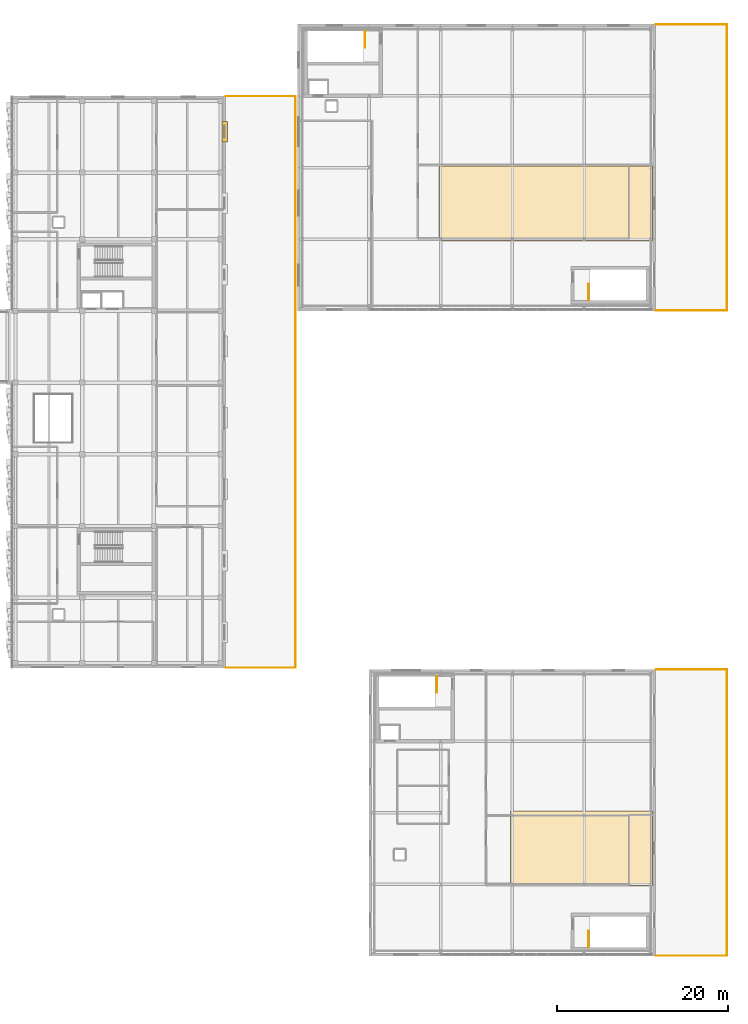
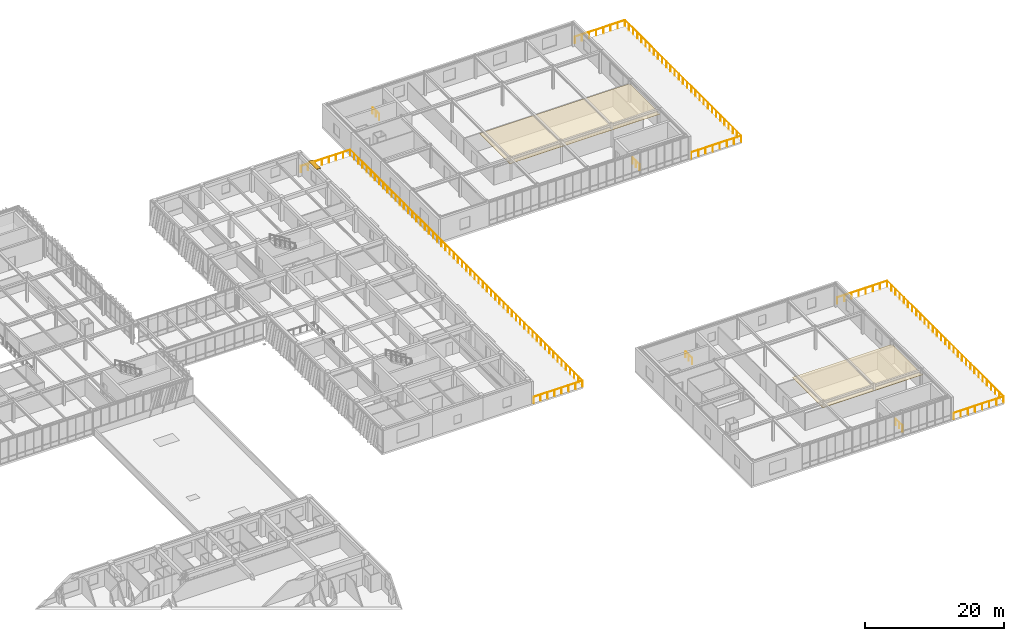
# One storey, part 127 of 127: 13 railings, 2 coverings, 1 shading device.
"""IFC4 building model written with IfcOpenShell, lengths in metres."""

import ifcopenshell
import ifcopenshell.guid

model = None  # the IFC model being written
_history = None  # IfcOwnerHistory: only IFC2X3 demands one
_inside = {}  # id of a spatial element -> (the spatial element, [elements in it])
_under = {}  # id of a project, library or spatial element -> (it, [spatial elements below it])
_declared = {}  # id of a project -> (the project, [libraries it declares])
_typed = {}  # id of a type object -> (the type object, [elements of that type])
_made_of = {}  # id of a material, layer set ... -> (it, [elements and type objects made of it])


def new_model(schema):
    """Start an empty IFC model of exactly this schema.

    Asked for "IFC4X3", IfcOpenShell would pick the latest addendum, in which some entities
    have other attributes; the version numbers below select the first issue.
    IFC2X3 requires an IfcOwnerHistory on every rooted entity: one is made here for all.
    """
    global model, _history
    if schema == "IFC4X3":
        model = ifcopenshell.file(schema_version=(4, 3, 0, 0))
    else:
        model = ifcopenshell.file(schema=schema)
    _inside.clear()
    _under.clear()
    _declared.clear()
    _typed.clear()
    _made_of.clear()
    _history = None
    if model.schema == "IFC2X3":
        org = make("IfcOrganization", Name="unknown")
        user = make(
            "IfcPersonAndOrganization",
            ThePerson=make("IfcPerson", FamilyName="unknown"),
            TheOrganization=org,
        )
        app = make(
            "IfcApplication",
            ApplicationDeveloper=org,
            Version="unknown",
            ApplicationFullName="unknown",
            ApplicationIdentifier="unknown",
        )
        _history = make(
            "IfcOwnerHistory",
            OwningUser=user,
            OwningApplication=app,
            ChangeAction="ADDED",
            CreationDate=0,
        )
    return model


def make(cls, **values):
    """One entity of the class cls with the attributes given. An attribute that is None is left unset."""
    return model.create_entity(
        cls, **{name: value for name, value in values.items() if value is not None}
    )


def rooted(cls, **values):
    """An entity with a GlobalId (a new one), such as an element, a storey or a relation."""
    return make(cls, GlobalId=ifcopenshell.guid.new(), OwnerHistory=_history, **values)


def si_unit(unit_type, name, prefix=None):
    """IfcSIUnit, for example si_unit("LENGTHUNIT", "METRE", prefix="MILLI")."""
    return make("IfcSIUnit", UnitType=unit_type, Prefix=prefix, Name=name)


def assignment(units):
    """IfcUnitAssignment: the units of a project."""
    return None if units is None else make("IfcUnitAssignment", Units=units)


def point(xyz):
    """IfcCartesianPoint."""
    return None if xyz is None else make("IfcCartesianPoint", Coordinates=xyz)


def direction(xyz):
    """IfcDirection."""
    return None if xyz is None else make("IfcDirection", DirectionRatios=xyz)


def frame(location, z_axis=None, x_axis=None):
    """IfcAxis2Placement3D, a coordinate frame: its origin and axes. An axis left out is left unset."""
    return make(
        "IfcAxis2Placement3D",
        Location=point(location),
        Axis=direction(z_axis),
        RefDirection=direction(x_axis),
    )


def frame_2d(location, x_axis=None):
    """IfcAxis2Placement2D, a coordinate frame in the plane: its origin and x axis."""
    return make(
        "IfcAxis2Placement2D", Location=point(location), RefDirection=direction(x_axis)
    )


def origin():
    """The frame at (0, 0, 0) with its axes left unset."""
    return frame((0.0, 0.0, 0.0))


def origin_2d():
    """The frame at (0, 0) in the plane with its x axis left unset."""
    return frame_2d((0.0, 0.0))


def place(relative_to, where):
    """IfcLocalPlacement: puts the frame where relative to a parent placement (None: the world)."""
    return make(
        "IfcLocalPlacement", PlacementRelTo=relative_to, RelativePlacement=where
    )


def context(
    kind, dimensions, precision=None, world=None, true_north=None, identifier=None
):
    """IfcGeometricRepresentationContext, for example the 3D "Model" context."""
    return make(
        "IfcGeometricRepresentationContext",
        ContextIdentifier=identifier,
        ContextType=kind,
        CoordinateSpaceDimension=dimensions,
        Precision=precision,
        WorldCoordinateSystem=world,
        TrueNorth=true_north,
    )


def subcontext(parent, identifier, kind, view, scale=None):
    """IfcGeometricRepresentationSubContext, for example "Body" below "Model"."""
    return make(
        "IfcGeometricRepresentationSubContext",
        ContextIdentifier=identifier,
        ContextType=kind,
        ParentContext=parent,
        TargetScale=scale,
        TargetView=view,
    )


def project(units=None, contexts=None):
    """IfcProject with its units and contexts."""
    return rooted(
        "IfcProject",
        Name="project",
        RepresentationContexts=contexts,
        UnitsInContext=assignment(units),
    )


def spatial(cls, under=None, at=None, **own):
    """A site, building, storey or space (cls), placed at a placement, below another one or the project."""
    s = rooted(cls, ObjectPlacement=at, **own)
    if under is not None:
        _under.setdefault(under.id(), (under, []))[1].append(s)
    return s


def polyline(points):
    """IfcPolyline through the points."""
    return make("IfcPolyline", Points=[point(p) for p in points])


def profile(cls, at=None, kind="AREA", **sizes):
    """A parametric profile (cls). Its sizes go by their IFC names, for example OverallWidth=200.0."""
    return make(cls, ProfileType=kind, Position=at, **sizes)


def rectangle(**sizes):
    """IfcRectangleProfileDef."""
    return profile("IfcRectangleProfileDef", **sizes)


def circle(**sizes):
    """IfcCircleProfileDef."""
    return profile("IfcCircleProfileDef", **sizes)


def outline(outer, holes=None, kind="AREA"):
    """IfcArbitraryClosedProfileDef: a profile drawn as a closed curve; with holes, ...WithVoids."""
    if holes is None:
        return make("IfcArbitraryClosedProfileDef", ProfileType=kind, OuterCurve=outer)
    return make(
        "IfcArbitraryProfileDefWithVoids",
        ProfileType=kind,
        OuterCurve=outer,
        InnerCurves=holes,
    )


def extrude(swept, where, along, depth):
    """IfcExtrudedAreaSolid: the profile swept, set in the frame where, extruded along a direction by depth."""
    return make(
        "IfcExtrudedAreaSolid",
        SweptArea=swept,
        Position=where,
        ExtrudedDirection=direction(along),
        Depth=depth,
    )


def shape(context_of_items, identifier, shape_type, items):
    """IfcShapeRepresentation: the items that make up one representation, for example the "Body"."""
    return make(
        "IfcShapeRepresentation",
        ContextOfItems=context_of_items,
        RepresentationIdentifier=identifier,
        RepresentationType=shape_type,
        Items=items,
    )


def material(Name=None, Category=None):
    """IfcMaterial."""
    return make("IfcMaterial", Name=Name, Category=Category)


def layer(
    of_material, thickness, ventilated=None, Name=None, Category=None, Priority=None
):
    """IfcMaterialLayer: one layer of a wall or slab, of a material (None: an air gap)."""
    return make(
        "IfcMaterialLayer",
        Material=of_material,
        LayerThickness=thickness,
        IsVentilated=ventilated,
        Name=Name,
        Category=Category,
        Priority=Priority,
    )


def layer_set(layers, Name=None):
    """IfcMaterialLayerSet."""
    return make("IfcMaterialLayerSet", MaterialLayers=layers, LayerSetName=Name)


def made_of(thing, what):
    """Note that an element or type object is made of a material, layer set ...; save() writes the relation."""
    if what is not None:
        _made_of.setdefault(what.id(), (what, []))[1].append(thing)
    return thing


def type_object(cls, material=None, **own):
    """A type object (cls), such as IfcWallType, which elements share."""
    return made_of(rooted(cls, **own), material)


def element(
    cls,
    number,
    at=None,
    inside=None,
    cuts=None,
    type_object=None,
    material=None,
    context=None,
    identifier="Body",
    shape_type=None,
    held_by="IfcProductDefinitionShape",
    body=None,
    shapes=None,
    **own,
):
    """One element of the class cls, such as IfcWall. Its Tag is "e" and its number.

    at: its placement. inside: the storey or other place that contains it. cuts: it is an
    opening in that element (IfcRelVoidsElement). A single representation is given by context,
    identifier, shape_type and body (its items); several are given by shapes. held_by: the class
    of the entity that holds the representations. save() writes the other relations.
    """
    e = rooted(cls, Tag="e%d" % number, ObjectPlacement=at, **own)
    if body is not None:
        shapes = [shape(context, identifier, shape_type, body)]
    if shapes is not None:
        e.Representation = make(held_by, Representations=shapes)
    if inside is not None:
        _inside.setdefault(inside.id(), (inside, []))[1].append(e)
    if cuts is not None:
        rooted(
            "IfcRelVoidsElement", RelatingBuildingElement=cuts, RelatedOpeningElement=e
        )
    if type_object is not None:
        _typed.setdefault(type_object.id(), (type_object, []))[1].append(e)
    return made_of(e, material)


def aggregate(whole, parts):
    """IfcRelAggregates: a whole, such as a stair, and the parts it consists of."""
    return rooted("IfcRelAggregates", RelatingObject=whole, RelatedObjects=parts)


def save(model, path):
    """Write the relations noted so far, then the file.

    IfcRelAggregates (storeys below a building ...), IfcRelContainedInSpatialStructure (elements
    in a storey), IfcRelDefinesByType, IfcRelAssociatesMaterial and IfcRelDeclares: one each for
    every whole, place, type object, material and project.
    """
    for whole, parts in _under.values():
        aggregate(whole, parts)
    for where, things in _inside.values():
        rooted(
            "IfcRelContainedInSpatialStructure",
            RelatedElements=things,
            RelatingStructure=where,
        )
    for kind, things in _typed.values():
        rooted("IfcRelDefinesByType", RelatedObjects=things, RelatingType=kind)
    for what, things in _made_of.values():
        rooted("IfcRelAssociatesMaterial", RelatedObjects=things, RelatingMaterial=what)
    for by, libraries in _declared.values():
        rooted("IfcRelDeclares", RelatingContext=by, RelatedDefinitions=libraries)
    model.write(path)


model = new_model("IFC4")

# Units and contexts
model_context = context("Model", 3, precision=1e-05, world=origin(), true_north=direction((0.0, 1.0)))
body_context = subcontext(model_context, "Body", "Model", "MODEL_VIEW")
ifc_project = project(units=[si_unit("LENGTHUNIT", "METRE"), si_unit("AREAUNIT", "SQUARE_METRE"), si_unit("VOLUMEUNIT", "CUBIC_METRE"), si_unit("PLANEANGLEUNIT", "RADIAN"), si_unit("MASSUNIT", "GRAM", prefix="KILO")], contexts=[model_context])

# Site, building, storey
site_placement = place(None, origin())
site = spatial("IfcSite", under=ifc_project, at=site_placement, CompositionType="ELEMENT")
building_placement = place(site_placement, origin())
building = spatial("IfcBuilding", under=site, at=building_placement, Name="Zayran Congress Hotel", CompositionType="ELEMENT")
storey_placement = place(building_placement, frame((0.0, 0.0, 10.800048828125)))
storey = spatial("IfcBuildingStorey", under=building, at=storey_placement, Name="L02", CompositionType="ELEMENT", Elevation=10.800048828125)

# Shading device
ifc_material_1 = material(Name="Precast concrete C40/50", Category="concrete")
shading_device_type = type_object("IfcShadingDeviceType", Name="TP-SHD-01", PredefinedType="JALOUSIE", material=ifc_material_1)
shading_device_placement = place(storey_placement, frame((134.300048828125, 105.408935546875, 3.77978515625), z_axis=(0.0, 0.0, 1.0), x_axis=(0.0, 1.0, 0.0)))
element("IfcShadingDevice", 1, at=shading_device_placement, inside=storey, type_object=shading_device_type, Name="Precast Brise Soleil Louvre 16", PredefinedType="JALOUSIE", context=body_context, shape_type="SweptSolid", body=[
    extrude(rectangle(XDim=2.39990234375, YDim=0.64990234375, at=origin_2d()), origin(), (0.0, 0.0, 1.0), 0.139892578125),
])

# Railings
ifc_material_2 = material(Name="Warm bronze anodised aluminium balustrade", Category="aluminium")
railing_type_1 = type_object("IfcRailingType", Name="TP-GRD-EXT", PredefinedType="GUARDRAIL", material=ifc_material_2)
railing_1_placement = place(storey_placement, frame((184.840087890625, 84.43994140625, 0.0)))
element("IfcRailing", 2, at=railing_1_placement, inside=storey, type_object=railing_type_1, Name="V2 L02 Terrace Perimeter Guard S", PredefinedType="GUARDRAIL", context=body_context, shape_type="SweptSolid", body=[
    extrude(circle(Radius=0.02392578125, at=origin_2d()), frame((0.0, 0.0, 1.09619140625), z_axis=(1.0, 0.0, 0.0), x_axis=(0.0, 1.0, 0.0)), (0.0, 0.0, 1.0), 8.31982421875),
    extrude(circle(Radius=0.02099609375, at=origin_2d()), origin(), (0.0, 0.0, 1.0), 1.072021484375),
    extrude(circle(Radius=0.02099609375, at=origin_2d()), frame((1.1884765625, 0.0, 0.0)), (0.0, 0.0, 1.0), 1.072021484375),
    extrude(circle(Radius=0.02099609375, at=origin_2d()), frame((2.377197265625, 0.0, 0.0)), (0.0, 0.0, 1.0), 1.072021484375),
    extrude(circle(Radius=0.02099609375, at=origin_2d()), frame((3.565673828125, 0.0, 0.0)), (0.0, 0.0, 1.0), 1.072021484375),
    extrude(circle(Radius=0.02099609375, at=origin_2d()), frame((4.754150390625, 0.0, 0.0)), (0.0, 0.0, 1.0), 1.072021484375),
    extrude(circle(Radius=0.02099609375, at=origin_2d()), frame((5.942626953125, 0.0, 0.0)), (0.0, 0.0, 1.0), 1.072021484375),
    extrude(circle(Radius=0.02099609375, at=origin_2d()), frame((7.13134765625, 0.0, 0.0)), (0.0, 0.0, 1.0), 1.072021484375),
    extrude(circle(Radius=0.02099609375, at=origin_2d()), frame((8.31982421875, 0.0, 0.0)), (0.0, 0.0, 1.0), 1.072021484375),
])
railing_2_placement = place(storey_placement, frame((193.159912109375, 117.9599609375, 0.0)))
element("IfcRailing", 3, at=railing_2_placement, inside=storey, type_object=railing_type_1, Name="V2 L02 Terrace Perimeter Guard N", PredefinedType="GUARDRAIL", context=body_context, shape_type="SweptSolid", body=[
    extrude(circle(Radius=0.02392578125, at=origin_2d()), frame((0.0, 0.0, 1.09619140625), z_axis=(-1.0, 0.0, 0.0), x_axis=(0.0, -1.0, 0.0)), (0.0, 0.0, 1.0), 8.31982421875),
    extrude(circle(Radius=0.02099609375, at=origin_2d()), origin(), (0.0, 0.0, 1.0), 1.072021484375),
    extrude(circle(Radius=0.02099609375, at=origin_2d()), frame((-1.1884765625, 0.0, 0.0)), (0.0, 0.0, 1.0), 1.072021484375),
    extrude(circle(Radius=0.02099609375, at=origin_2d()), frame((-2.377197265625, 0.0, 0.0)), (0.0, 0.0, 1.0), 1.072021484375),
    extrude(circle(Radius=0.02099609375, at=origin_2d()), frame((-3.565673828125, 0.0, 0.0)), (0.0, 0.0, 1.0), 1.072021484375),
    extrude(circle(Radius=0.02099609375, at=origin_2d()), frame((-4.754150390625, 0.0, 0.0)), (0.0, 0.0, 1.0), 1.072021484375),
    extrude(circle(Radius=0.02099609375, at=origin_2d()), frame((-5.942626953125, 0.0, 0.0)), (0.0, 0.0, 1.0), 1.072021484375),
    extrude(circle(Radius=0.02099609375, at=origin_2d()), frame((-7.13134765625, 0.0, 0.0)), (0.0, 0.0, 1.0), 1.072021484375),
    extrude(circle(Radius=0.02099609375, at=origin_2d()), frame((-8.31982421875, 0.0, 0.0)), (0.0, 0.0, 1.0), 1.072021484375),
])
railing_3_placement = place(storey_placement, frame((193.159912109375, 84.43994140625, 0.0)))
element("IfcRailing", 4, at=railing_3_placement, inside=storey, type_object=railing_type_1, Name="V2 L02 Terrace Perimeter Guard E", PredefinedType="GUARDRAIL", context=body_context, shape_type="SweptSolid", body=[
    extrude(circle(Radius=0.02392578125, at=origin_2d()), frame((0.0, 0.0, 1.09619140625), z_axis=(0.0, 1.0, 0.0), x_axis=(-1.0, 0.0, 0.0)), (0.0, 0.0, 1.0), 33.52001953125),
    extrude(circle(Radius=0.02099609375, at=origin_2d()), origin(), (0.0, 0.0, 1.0), 1.072021484375),
    extrude(circle(Radius=0.02099609375, at=origin_2d()), frame((0.0, 1.197265625, 0.0)), (0.0, 0.0, 1.0), 1.072021484375),
    extrude(circle(Radius=0.02099609375, at=origin_2d()), frame((0.0, 2.394287109375, 0.0)), (0.0, 0.0, 1.0), 1.072021484375),
    extrude(circle(Radius=0.02099609375, at=origin_2d()), frame((0.0, 3.59130859375, 0.0)), (0.0, 0.0, 1.0), 1.072021484375),
    extrude(circle(Radius=0.02099609375, at=origin_2d()), frame((0.0, 4.78857421875, 0.0)), (0.0, 0.0, 1.0), 1.072021484375),
    extrude(circle(Radius=0.02099609375, at=origin_2d()), frame((0.0, 5.98583984375, 0.0)), (0.0, 0.0, 1.0), 1.072021484375),
    extrude(circle(Radius=0.02099609375, at=origin_2d()), frame((0.0, 7.182861328125, 0.0)), (0.0, 0.0, 1.0), 1.072021484375),
    extrude(circle(Radius=0.02099609375, at=origin_2d()), frame((0.0, 8.3798828125, 0.0)), (0.0, 0.0, 1.0), 1.072021484375),
    extrude(circle(Radius=0.02099609375, at=origin_2d()), frame((0.0, 9.5771484375, 0.0)), (0.0, 0.0, 1.0), 1.072021484375),
    extrude(circle(Radius=0.02099609375, at=origin_2d()), frame((0.0, 10.7744140625, 0.0)), (0.0, 0.0, 1.0), 1.072021484375),
    extrude(circle(Radius=0.02099609375, at=origin_2d()), frame((0.0, 11.971435546875, 0.0)), (0.0, 0.0, 1.0), 1.072021484375),
    extrude(circle(Radius=0.02099609375, at=origin_2d()), frame((0.0, 13.16845703125, 0.0)), (0.0, 0.0, 1.0), 1.072021484375),
    extrude(circle(Radius=0.02099609375, at=origin_2d()), frame((0.0, 14.36572265625, 0.0)), (0.0, 0.0, 1.0), 1.072021484375),
    extrude(circle(Radius=0.02099609375, at=origin_2d()), frame((0.0, 15.56298828125, 0.0)), (0.0, 0.0, 1.0), 1.072021484375),
    extrude(circle(Radius=0.02099609375, at=origin_2d()), frame((0.0, 16.760009765625, 0.0)), (0.0, 0.0, 1.0), 1.072021484375),
    extrude(circle(Radius=0.02099609375, at=origin_2d()), frame((0.0, 17.95703125, 0.0)), (0.0, 0.0, 1.0), 1.072021484375),
    extrude(circle(Radius=0.02099609375, at=origin_2d()), frame((0.0, 19.154296875, 0.0)), (0.0, 0.0, 1.0), 1.072021484375),
    extrude(circle(Radius=0.02099609375, at=origin_2d()), frame((0.0, 20.3515625, 0.0)), (0.0, 0.0, 1.0), 1.072021484375),
    extrude(circle(Radius=0.02099609375, at=origin_2d()), frame((0.0, 21.548583984375, 0.0)), (0.0, 0.0, 1.0), 1.072021484375),
    extrude(circle(Radius=0.02099609375, at=origin_2d()), frame((0.0, 22.74560546875, 0.0)), (0.0, 0.0, 1.0), 1.072021484375),
    extrude(circle(Radius=0.02099609375, at=origin_2d()), frame((0.0, 23.94287109375, 0.0)), (0.0, 0.0, 1.0), 1.072021484375),
    extrude(circle(Radius=0.02099609375, at=origin_2d()), frame((0.0, 25.14013671875, 0.0)), (0.0, 0.0, 1.0), 1.072021484375),
    extrude(circle(Radius=0.02099609375, at=origin_2d()), frame((0.0, 26.337158203125, 0.0)), (0.0, 0.0, 1.0), 1.072021484375),
    extrude(circle(Radius=0.02099609375, at=origin_2d()), frame((0.0, 27.5341796875, 0.0)), (0.0, 0.0, 1.0), 1.072021484375),
    extrude(circle(Radius=0.02099609375, at=origin_2d()), frame((0.0, 28.7314453125, 0.0)), (0.0, 0.0, 1.0), 1.072021484375),
    extrude(circle(Radius=0.02099609375, at=origin_2d()), frame((0.0, 29.9287109375, 0.0)), (0.0, 0.0, 1.0), 1.072021484375),
    extrude(circle(Radius=0.02099609375, at=origin_2d()), frame((0.0, 31.125732421875, 0.0)), (0.0, 0.0, 1.0), 1.072021484375),
    extrude(circle(Radius=0.02099609375, at=origin_2d()), frame((0.0, 32.32275390625, 0.0)), (0.0, 0.0, 1.0), 1.072021484375),
    extrude(circle(Radius=0.02099609375, at=origin_2d()), frame((0.0, 33.52001953125, 0.0)), (0.0, 0.0, 1.0), 1.072021484375),
])
railing_4_placement = place(storey_placement, frame((184.840087890625, 8.840087890625, 0.0)))
element("IfcRailing", 5, at=railing_4_placement, inside=storey, type_object=railing_type_1, Name="V3 L02 Terrace Perimeter Guard S", PredefinedType="GUARDRAIL", context=body_context, shape_type="SweptSolid", body=[
    extrude(circle(Radius=0.02392578125, at=origin_2d()), frame((0.0, 0.0, 1.09619140625), z_axis=(1.0, 0.0, 0.0), x_axis=(0.0, 1.0, 0.0)), (0.0, 0.0, 1.0), 8.31982421875),
    extrude(circle(Radius=0.02099609375, at=origin_2d()), origin(), (0.0, 0.0, 1.0), 1.072021484375),
    extrude(circle(Radius=0.02099609375, at=origin_2d()), frame((1.1884765625, 0.0, 0.0)), (0.0, 0.0, 1.0), 1.072021484375),
    extrude(circle(Radius=0.02099609375, at=origin_2d()), frame((2.377197265625, 0.0, 0.0)), (0.0, 0.0, 1.0), 1.072021484375),
    extrude(circle(Radius=0.02099609375, at=origin_2d()), frame((3.565673828125, 0.0, 0.0)), (0.0, 0.0, 1.0), 1.072021484375),
    extrude(circle(Radius=0.02099609375, at=origin_2d()), frame((4.754150390625, 0.0, 0.0)), (0.0, 0.0, 1.0), 1.072021484375),
    extrude(circle(Radius=0.02099609375, at=origin_2d()), frame((5.942626953125, 0.0, 0.0)), (0.0, 0.0, 1.0), 1.072021484375),
    extrude(circle(Radius=0.02099609375, at=origin_2d()), frame((7.13134765625, 0.0, 0.0)), (0.0, 0.0, 1.0), 1.072021484375),
    extrude(circle(Radius=0.02099609375, at=origin_2d()), frame((8.31982421875, 0.0, 0.0)), (0.0, 0.0, 1.0), 1.072021484375),
])
railing_5_placement = place(storey_placement, frame((193.159912109375, 42.360107421875, 0.0)))
element("IfcRailing", 6, at=railing_5_placement, inside=storey, type_object=railing_type_1, Name="V3 L02 Terrace Perimeter Guard N", PredefinedType="GUARDRAIL", context=body_context, shape_type="SweptSolid", body=[
    extrude(circle(Radius=0.02392578125, at=origin_2d()), frame((0.0, 0.0, 1.09619140625), z_axis=(-1.0, 0.0, 0.0), x_axis=(0.0, -1.0, 0.0)), (0.0, 0.0, 1.0), 8.31982421875),
    extrude(circle(Radius=0.02099609375, at=origin_2d()), origin(), (0.0, 0.0, 1.0), 1.072021484375),
    extrude(circle(Radius=0.02099609375, at=origin_2d()), frame((-1.1884765625, 0.0, 0.0)), (0.0, 0.0, 1.0), 1.072021484375),
    extrude(circle(Radius=0.02099609375, at=origin_2d()), frame((-2.377197265625, 0.0, 0.0)), (0.0, 0.0, 1.0), 1.072021484375),
    extrude(circle(Radius=0.02099609375, at=origin_2d()), frame((-3.565673828125, 0.0, 0.0)), (0.0, 0.0, 1.0), 1.072021484375),
    extrude(circle(Radius=0.02099609375, at=origin_2d()), frame((-4.754150390625, 0.0, 0.0)), (0.0, 0.0, 1.0), 1.072021484375),
    extrude(circle(Radius=0.02099609375, at=origin_2d()), frame((-5.942626953125, 0.0, 0.0)), (0.0, 0.0, 1.0), 1.072021484375),
    extrude(circle(Radius=0.02099609375, at=origin_2d()), frame((-7.13134765625, 0.0, 0.0)), (0.0, 0.0, 1.0), 1.072021484375),
    extrude(circle(Radius=0.02099609375, at=origin_2d()), frame((-8.31982421875, 0.0, 0.0)), (0.0, 0.0, 1.0), 1.072021484375),
])
railing_6_placement = place(storey_placement, frame((193.159912109375, 8.840087890625, 0.0)))
element("IfcRailing", 7, at=railing_6_placement, inside=storey, type_object=railing_type_1, Name="V3 L02 Terrace Perimeter Guard E", PredefinedType="GUARDRAIL", context=body_context, shape_type="SweptSolid", body=[
    extrude(circle(Radius=0.02392578125, at=origin_2d()), frame((0.0, 0.0, 1.09619140625), z_axis=(0.0, 1.0, 0.0), x_axis=(-1.0, 0.0, 0.0)), (0.0, 0.0, 1.0), 33.52001953125),
    extrude(circle(Radius=0.02099609375, at=origin_2d()), origin(), (0.0, 0.0, 1.0), 1.072021484375),
    extrude(circle(Radius=0.02099609375, at=origin_2d()), frame((0.0, 1.197265625, 0.0)), (0.0, 0.0, 1.0), 1.072021484375),
    extrude(circle(Radius=0.02099609375, at=origin_2d()), frame((0.0, 2.394287109375, 0.0)), (0.0, 0.0, 1.0), 1.072021484375),
    extrude(circle(Radius=0.02099609375, at=origin_2d()), frame((0.0, 3.59130859375, 0.0)), (0.0, 0.0, 1.0), 1.072021484375),
    extrude(circle(Radius=0.02099609375, at=origin_2d()), frame((0.0, 4.78857421875, 0.0)), (0.0, 0.0, 1.0), 1.072021484375),
    extrude(circle(Radius=0.02099609375, at=origin_2d()), frame((0.0, 5.98583984375, 0.0)), (0.0, 0.0, 1.0), 1.072021484375),
    extrude(circle(Radius=0.02099609375, at=origin_2d()), frame((0.0, 7.182861328125, 0.0)), (0.0, 0.0, 1.0), 1.072021484375),
    extrude(circle(Radius=0.02099609375, at=origin_2d()), frame((0.0, 8.3798828125, 0.0)), (0.0, 0.0, 1.0), 1.072021484375),
    extrude(circle(Radius=0.02099609375, at=origin_2d()), frame((0.0, 9.5771484375, 0.0)), (0.0, 0.0, 1.0), 1.072021484375),
    extrude(circle(Radius=0.02099609375, at=origin_2d()), frame((0.0, 10.7744140625, 0.0)), (0.0, 0.0, 1.0), 1.072021484375),
    extrude(circle(Radius=0.02099609375, at=origin_2d()), frame((0.0, 11.971435546875, 0.0)), (0.0, 0.0, 1.0), 1.072021484375),
    extrude(circle(Radius=0.02099609375, at=origin_2d()), frame((0.0, 13.16845703125, 0.0)), (0.0, 0.0, 1.0), 1.072021484375),
    extrude(circle(Radius=0.02099609375, at=origin_2d()), frame((0.0, 14.36572265625, 0.0)), (0.0, 0.0, 1.0), 1.072021484375),
    extrude(circle(Radius=0.02099609375, at=origin_2d()), frame((0.0, 15.56298828125, 0.0)), (0.0, 0.0, 1.0), 1.072021484375),
    extrude(circle(Radius=0.02099609375, at=origin_2d()), frame((0.0, 16.760009765625, 0.0)), (0.0, 0.0, 1.0), 1.072021484375),
    extrude(circle(Radius=0.02099609375, at=origin_2d()), frame((0.0, 17.95703125, 0.0)), (0.0, 0.0, 1.0), 1.072021484375),
    extrude(circle(Radius=0.02099609375, at=origin_2d()), frame((0.0, 19.154296875, 0.0)), (0.0, 0.0, 1.0), 1.072021484375),
    extrude(circle(Radius=0.02099609375, at=origin_2d()), frame((0.0, 20.3515625, 0.0)), (0.0, 0.0, 1.0), 1.072021484375),
    extrude(circle(Radius=0.02099609375, at=origin_2d()), frame((0.0, 21.548583984375, 0.0)), (0.0, 0.0, 1.0), 1.072021484375),
    extrude(circle(Radius=0.02099609375, at=origin_2d()), frame((0.0, 22.74560546875, 0.0)), (0.0, 0.0, 1.0), 1.072021484375),
    extrude(circle(Radius=0.02099609375, at=origin_2d()), frame((0.0, 23.94287109375, 0.0)), (0.0, 0.0, 1.0), 1.072021484375),
    extrude(circle(Radius=0.02099609375, at=origin_2d()), frame((0.0, 25.14013671875, 0.0)), (0.0, 0.0, 1.0), 1.072021484375),
    extrude(circle(Radius=0.02099609375, at=origin_2d()), frame((0.0, 26.337158203125, 0.0)), (0.0, 0.0, 1.0), 1.072021484375),
    extrude(circle(Radius=0.02099609375, at=origin_2d()), frame((0.0, 27.5341796875, 0.0)), (0.0, 0.0, 1.0), 1.072021484375),
    extrude(circle(Radius=0.02099609375, at=origin_2d()), frame((0.0, 28.7314453125, 0.0)), (0.0, 0.0, 1.0), 1.072021484375),
    extrude(circle(Radius=0.02099609375, at=origin_2d()), frame((0.0, 29.9287109375, 0.0)), (0.0, 0.0, 1.0), 1.072021484375),
    extrude(circle(Radius=0.02099609375, at=origin_2d()), frame((0.0, 31.125732421875, 0.0)), (0.0, 0.0, 1.0), 1.072021484375),
    extrude(circle(Radius=0.02099609375, at=origin_2d()), frame((0.0, 32.32275390625, 0.0)), (0.0, 0.0, 1.0), 1.072021484375),
    extrude(circle(Radius=0.02099609375, at=origin_2d()), frame((0.0, 33.52001953125, 0.0)), (0.0, 0.0, 1.0), 1.072021484375),
])
railing_7_placement = place(storey_placement, frame((134.43994140625, 42.590087890625, 0.0)))
element("IfcRailing", 8, at=railing_7_placement, inside=storey, type_object=railing_type_1, Name="V4 L02 Terrace Perimeter Guard S", PredefinedType="GUARDRAIL", context=body_context, shape_type="SweptSolid", body=[
    extrude(circle(Radius=0.02392578125, at=origin_2d()), frame((0.0, 0.0, 1.09619140625), z_axis=(1.0, 0.0, 0.0), x_axis=(0.0, 1.0, 0.0)), (0.0, 0.0, 1.0), 8.170166015625),
    extrude(circle(Radius=0.02099609375, at=origin_2d()), origin(), (0.0, 0.0, 1.0), 1.072021484375),
    extrude(circle(Radius=0.02099609375, at=origin_2d()), frame((1.167236328125, 0.0, 0.0)), (0.0, 0.0, 1.0), 1.072021484375),
    extrude(circle(Radius=0.02099609375, at=origin_2d()), frame((2.334228515625, 0.0, 0.0)), (0.0, 0.0, 1.0), 1.072021484375),
    extrude(circle(Radius=0.02099609375, at=origin_2d()), frame((3.50146484375, 0.0, 0.0)), (0.0, 0.0, 1.0), 1.072021484375),
    extrude(circle(Radius=0.02099609375, at=origin_2d()), frame((4.668701171875, 0.0, 0.0)), (0.0, 0.0, 1.0), 1.072021484375),
    extrude(circle(Radius=0.02099609375, at=origin_2d()), frame((5.8359375, 0.0, 0.0)), (0.0, 0.0, 1.0), 1.072021484375),
    extrude(circle(Radius=0.02099609375, at=origin_2d()), frame((7.0029296875, 0.0, 0.0)), (0.0, 0.0, 1.0), 1.072021484375),
    extrude(circle(Radius=0.02099609375, at=origin_2d()), frame((8.170166015625, 0.0, 0.0)), (0.0, 0.0, 1.0), 1.072021484375),
])
railing_8_placement = place(storey_placement, frame((142.610107421875, 109.56005859375, 0.0)))
element("IfcRailing", 9, at=railing_8_placement, inside=storey, type_object=railing_type_1, Name="V4 L02 Terrace Perimeter Guard N", PredefinedType="GUARDRAIL", context=body_context, shape_type="SweptSolid", body=[
    extrude(circle(Radius=0.02392578125, at=origin_2d()), frame((0.0, 0.0, 1.09619140625), z_axis=(-1.0, 0.0, 0.0), x_axis=(0.0, -1.0, 0.0)), (0.0, 0.0, 1.0), 8.170166015625),
    extrude(circle(Radius=0.02099609375, at=origin_2d()), origin(), (0.0, 0.0, 1.0), 1.072021484375),
    extrude(circle(Radius=0.02099609375, at=origin_2d()), frame((-1.167236328125, 0.0, 0.0)), (0.0, 0.0, 1.0), 1.072021484375),
    extrude(circle(Radius=0.02099609375, at=origin_2d()), frame((-2.334228515625, 0.0, 0.0)), (0.0, 0.0, 1.0), 1.072021484375),
    extrude(circle(Radius=0.02099609375, at=origin_2d()), frame((-3.50146484375, 0.0, 0.0)), (0.0, 0.0, 1.0), 1.072021484375),
    extrude(circle(Radius=0.02099609375, at=origin_2d()), frame((-4.668701171875, 0.0, 0.0)), (0.0, 0.0, 1.0), 1.072021484375),
    extrude(circle(Radius=0.02099609375, at=origin_2d()), frame((-5.8359375, 0.0, 0.0)), (0.0, 0.0, 1.0), 1.072021484375),
    extrude(circle(Radius=0.02099609375, at=origin_2d()), frame((-7.0029296875, 0.0, 0.0)), (0.0, 0.0, 1.0), 1.072021484375),
    extrude(circle(Radius=0.02099609375, at=origin_2d()), frame((-8.170166015625, 0.0, 0.0)), (0.0, 0.0, 1.0), 1.072021484375),
])
railing_9_placement = place(storey_placement, frame((142.610107421875, 42.590087890625, 0.0)))
element("IfcRailing", 10, at=railing_9_placement, inside=storey, type_object=railing_type_1, Name="V4 L02 Terrace Perimeter Guard E", PredefinedType="GUARDRAIL", context=body_context, shape_type="SweptSolid", body=[
    extrude(circle(Radius=0.02392578125, at=origin_2d()), frame((0.0, 0.0, 1.09619140625), z_axis=(0.0, 1.0, 0.0), x_axis=(-1.0, 0.0, 0.0)), (0.0, 0.0, 1.0), 66.969970703125),
    extrude(circle(Radius=0.02099609375, at=origin_2d()), origin(), (0.0, 0.0, 1.0), 1.072021484375),
    extrude(circle(Radius=0.02099609375, at=origin_2d()), frame((0.0, 1.19580078125, 0.0)), (0.0, 0.0, 1.0), 1.072021484375),
    extrude(circle(Radius=0.02099609375, at=origin_2d()), frame((0.0, 2.391845703125, 0.0)), (0.0, 0.0, 1.0), 1.072021484375),
    extrude(circle(Radius=0.02099609375, at=origin_2d()), frame((0.0, 3.587646484375, 0.0)), (0.0, 0.0, 1.0), 1.072021484375),
    extrude(circle(Radius=0.02099609375, at=origin_2d()), frame((0.0, 4.78369140625, 0.0)), (0.0, 0.0, 1.0), 1.072021484375),
    extrude(circle(Radius=0.02099609375, at=origin_2d()), frame((0.0, 5.9794921875, 0.0)), (0.0, 0.0, 1.0), 1.072021484375),
    extrude(circle(Radius=0.02099609375, at=origin_2d()), frame((0.0, 7.17529296875, 0.0)), (0.0, 0.0, 1.0), 1.072021484375),
    extrude(circle(Radius=0.02099609375, at=origin_2d()), frame((0.0, 8.371337890625, 0.0)), (0.0, 0.0, 1.0), 1.072021484375),
    extrude(circle(Radius=0.02099609375, at=origin_2d()), frame((0.0, 9.567138671875, 0.0)), (0.0, 0.0, 1.0), 1.072021484375),
    extrude(circle(Radius=0.02099609375, at=origin_2d()), frame((0.0, 10.762939453125, 0.0)), (0.0, 0.0, 1.0), 1.072021484375),
    extrude(circle(Radius=0.02099609375, at=origin_2d()), frame((0.0, 11.958984375, 0.0)), (0.0, 0.0, 1.0), 1.072021484375),
    extrude(circle(Radius=0.02099609375, at=origin_2d()), frame((0.0, 13.15478515625, 0.0)), (0.0, 0.0, 1.0), 1.072021484375),
    extrude(circle(Radius=0.02099609375, at=origin_2d()), frame((0.0, 14.3505859375, 0.0)), (0.0, 0.0, 1.0), 1.072021484375),
    extrude(circle(Radius=0.02099609375, at=origin_2d()), frame((0.0, 15.546630859375, 0.0)), (0.0, 0.0, 1.0), 1.072021484375),
    extrude(circle(Radius=0.02099609375, at=origin_2d()), frame((0.0, 16.742431640625, 0.0)), (0.0, 0.0, 1.0), 1.072021484375),
    extrude(circle(Radius=0.02099609375, at=origin_2d()), frame((0.0, 17.9384765625, 0.0)), (0.0, 0.0, 1.0), 1.072021484375),
    extrude(circle(Radius=0.02099609375, at=origin_2d()), frame((0.0, 19.13427734375, 0.0)), (0.0, 0.0, 1.0), 1.072021484375),
    extrude(circle(Radius=0.02099609375, at=origin_2d()), frame((0.0, 20.330078125, 0.0)), (0.0, 0.0, 1.0), 1.072021484375),
    extrude(circle(Radius=0.02099609375, at=origin_2d()), frame((0.0, 21.526123046875, 0.0)), (0.0, 0.0, 1.0), 1.072021484375),
    extrude(circle(Radius=0.02099609375, at=origin_2d()), frame((0.0, 22.721923828125, 0.0)), (0.0, 0.0, 1.0), 1.072021484375),
    extrude(circle(Radius=0.02099609375, at=origin_2d()), frame((0.0, 23.91796875, 0.0)), (0.0, 0.0, 1.0), 1.072021484375),
    extrude(circle(Radius=0.02099609375, at=origin_2d()), frame((0.0, 25.11376953125, 0.0)), (0.0, 0.0, 1.0), 1.072021484375),
    extrude(circle(Radius=0.02099609375, at=origin_2d()), frame((0.0, 26.3095703125, 0.0)), (0.0, 0.0, 1.0), 1.072021484375),
    extrude(circle(Radius=0.02099609375, at=origin_2d()), frame((0.0, 27.505615234375, 0.0)), (0.0, 0.0, 1.0), 1.072021484375),
    extrude(circle(Radius=0.02099609375, at=origin_2d()), frame((0.0, 28.701416015625, 0.0)), (0.0, 0.0, 1.0), 1.072021484375),
    extrude(circle(Radius=0.02099609375, at=origin_2d()), frame((0.0, 29.897216796875, 0.0)), (0.0, 0.0, 1.0), 1.072021484375),
    extrude(circle(Radius=0.02099609375, at=origin_2d()), frame((0.0, 31.09326171875, 0.0)), (0.0, 0.0, 1.0), 1.072021484375),
    extrude(circle(Radius=0.02099609375, at=origin_2d()), frame((0.0, 32.2890625, 0.0)), (0.0, 0.0, 1.0), 1.072021484375),
    extrude(circle(Radius=0.02099609375, at=origin_2d()), frame((0.0, 33.48486328125, 0.0)), (0.0, 0.0, 1.0), 1.072021484375),
    extrude(circle(Radius=0.02099609375, at=origin_2d()), frame((0.0, 34.680908203125, 0.0)), (0.0, 0.0, 1.0), 1.072021484375),
    extrude(circle(Radius=0.02099609375, at=origin_2d()), frame((0.0, 35.876708984375, 0.0)), (0.0, 0.0, 1.0), 1.072021484375),
    extrude(circle(Radius=0.02099609375, at=origin_2d()), frame((0.0, 37.07275390625, 0.0)), (0.0, 0.0, 1.0), 1.072021484375),
    extrude(circle(Radius=0.02099609375, at=origin_2d()), frame((0.0, 38.2685546875, 0.0)), (0.0, 0.0, 1.0), 1.072021484375),
    extrude(circle(Radius=0.02099609375, at=origin_2d()), frame((0.0, 39.46435546875, 0.0)), (0.0, 0.0, 1.0), 1.072021484375),
    extrude(circle(Radius=0.02099609375, at=origin_2d()), frame((0.0, 40.660400390625, 0.0)), (0.0, 0.0, 1.0), 1.072021484375),
    extrude(circle(Radius=0.02099609375, at=origin_2d()), frame((0.0, 41.856201171875, 0.0)), (0.0, 0.0, 1.0), 1.072021484375),
    extrude(circle(Radius=0.02099609375, at=origin_2d()), frame((0.0, 43.05224609375, 0.0)), (0.0, 0.0, 1.0), 1.072021484375),
    extrude(circle(Radius=0.02099609375, at=origin_2d()), frame((0.0, 44.248046875, 0.0)), (0.0, 0.0, 1.0), 1.072021484375),
    extrude(circle(Radius=0.02099609375, at=origin_2d()), frame((0.0, 45.44384765625, 0.0)), (0.0, 0.0, 1.0), 1.072021484375),
    extrude(circle(Radius=0.02099609375, at=origin_2d()), frame((0.0, 46.639892578125, 0.0)), (0.0, 0.0, 1.0), 1.072021484375),
    extrude(circle(Radius=0.02099609375, at=origin_2d()), frame((0.0, 47.835693359375, 0.0)), (0.0, 0.0, 1.0), 1.072021484375),
    extrude(circle(Radius=0.02099609375, at=origin_2d()), frame((0.0, 49.031494140625, 0.0)), (0.0, 0.0, 1.0), 1.072021484375),
    extrude(circle(Radius=0.02099609375, at=origin_2d()), frame((0.0, 50.2275390625, 0.0)), (0.0, 0.0, 1.0), 1.072021484375),
    extrude(circle(Radius=0.02099609375, at=origin_2d()), frame((0.0, 51.42333984375, 0.0)), (0.0, 0.0, 1.0), 1.072021484375),
    extrude(circle(Radius=0.02099609375, at=origin_2d()), frame((0.0, 52.619140625, 0.0)), (0.0, 0.0, 1.0), 1.072021484375),
    extrude(circle(Radius=0.02099609375, at=origin_2d()), frame((0.0, 53.815185546875, 0.0)), (0.0, 0.0, 1.0), 1.072021484375),
    extrude(circle(Radius=0.02099609375, at=origin_2d()), frame((0.0, 55.010986328125, 0.0)), (0.0, 0.0, 1.0), 1.072021484375),
    extrude(circle(Radius=0.02099609375, at=origin_2d()), frame((0.0, 56.20703125, 0.0)), (0.0, 0.0, 1.0), 1.072021484375),
    extrude(circle(Radius=0.02099609375, at=origin_2d()), frame((0.0, 57.40283203125, 0.0)), (0.0, 0.0, 1.0), 1.072021484375),
    extrude(circle(Radius=0.02099609375, at=origin_2d()), frame((0.0, 58.5986328125, 0.0)), (0.0, 0.0, 1.0), 1.072021484375),
    extrude(circle(Radius=0.02099609375, at=origin_2d()), frame((0.0, 59.794677734375, 0.0)), (0.0, 0.0, 1.0), 1.072021484375),
    extrude(circle(Radius=0.02099609375, at=origin_2d()), frame((0.0, 60.990478515625, 0.0)), (0.0, 0.0, 1.0), 1.072021484375),
    extrude(circle(Radius=0.02099609375, at=origin_2d()), frame((0.0, 62.1865234375, 0.0)), (0.0, 0.0, 1.0), 1.072021484375),
    extrude(circle(Radius=0.02099609375, at=origin_2d()), frame((0.0, 63.38232421875, 0.0)), (0.0, 0.0, 1.0), 1.072021484375),
    extrude(circle(Radius=0.02099609375, at=origin_2d()), frame((0.0, 64.578125, 0.0)), (0.0, 0.0, 1.0), 1.072021484375),
    extrude(circle(Radius=0.02099609375, at=origin_2d()), frame((0.0, 65.774169921875, 0.0)), (0.0, 0.0, 1.0), 1.072021484375),
    extrude(circle(Radius=0.02099609375, at=origin_2d()), frame((0.0, 66.969970703125, 0.0)), (0.0, 0.0, 1.0), 1.072021484375),
])
ifc_material_3 = material(Name="Painted steel balustrade", Category="steel")
railing_type_2 = type_object("IfcRailingType", Name="TP-GRD-INT", PredefinedType="GUARDRAIL", material=ifc_material_3)
railing_10_placement = place(storey_placement, frame((150.75, 117.199951171875, 0.0)))
element("IfcRailing", 11, at=railing_10_placement, inside=storey, type_object=railing_type_2, Name="L02 ST-09 top well guard 1", PredefinedType="GUARDRAIL", context=body_context, shape_type="SweptSolid", body=[
    extrude(circle(Radius=0.02392578125, at=origin_2d()), frame((0.0, 0.0, 1.076171875), z_axis=(0.0, -1.0, 0.0), x_axis=(1.0, 0.0, 0.0)), (0.0, 0.0, 1.0), 1.93994140625),
    extrude(circle(Radius=0.02099609375, at=origin_2d()), origin(), (0.0, 0.0, 1.0), 1.052001953125),
    extrude(circle(Radius=0.02099609375, at=origin_2d()), frame((0.0, -0.969970703125, 0.0)), (0.0, 0.0, 1.0), 1.052001953125),
    extrude(circle(Radius=0.02099609375, at=origin_2d()), frame((0.0, -1.93994140625, 0.0)), (0.0, 0.0, 1.0), 1.052001953125),
])
railing_11_placement = place(storey_placement, frame((176.89990234375, 85.60009765625, 0.0)))
element("IfcRailing", 12, at=railing_11_placement, inside=storey, type_object=railing_type_2, Name="L02 ST-10 top well guard 1", PredefinedType="GUARDRAIL", context=body_context, shape_type="SweptSolid", body=[
    extrude(circle(Radius=0.02392578125, at=origin_2d()), frame((0.0, 0.0, 1.076171875), z_axis=(0.0, 1.0, 0.0), x_axis=(-1.0, 0.0, 0.0)), (0.0, 0.0, 1.0), 1.93994140625),
    extrude(circle(Radius=0.02099609375, at=origin_2d()), origin(), (0.0, 0.0, 1.0), 1.052001953125),
    extrude(circle(Radius=0.02099609375, at=origin_2d()), frame((0.0, 0.969970703125, 0.0)), (0.0, 0.0, 1.0), 1.052001953125),
    extrude(circle(Radius=0.02099609375, at=origin_2d()), frame((0.0, 1.93994140625, 0.0)), (0.0, 0.0, 1.0), 1.052001953125),
])
railing_12_placement = place(storey_placement, frame((159.14990234375, 41.60009765625, 0.0)))
element("IfcRailing", 13, at=railing_12_placement, inside=storey, type_object=railing_type_2, Name="L02 ST-11 top well guard 1", PredefinedType="GUARDRAIL", context=body_context, shape_type="SweptSolid", body=[
    extrude(circle(Radius=0.02392578125, at=origin_2d()), frame((0.0, 0.0, 1.076171875), z_axis=(0.0, -1.0, 0.0), x_axis=(1.0, 0.0, 0.0)), (0.0, 0.0, 1.0), 1.940185546875),
    extrude(circle(Radius=0.02099609375, at=origin_2d()), origin(), (0.0, 0.0, 1.0), 1.052001953125),
    extrude(circle(Radius=0.02099609375, at=origin_2d()), frame((0.0, -0.97021484375, 0.0)), (0.0, 0.0, 1.0), 1.052001953125),
    extrude(circle(Radius=0.02099609375, at=origin_2d()), frame((0.0, -1.940185546875, 0.0)), (0.0, 0.0, 1.0), 1.052001953125),
])
railing_13_placement = place(storey_placement, frame((176.89990234375, 9.800048828125, 0.0)))
element("IfcRailing", 14, at=railing_13_placement, inside=storey, type_object=railing_type_2, Name="L02 ST-12 top well guard 1", PredefinedType="GUARDRAIL", context=body_context, shape_type="SweptSolid", body=[
    extrude(circle(Radius=0.02392578125, at=origin_2d()), frame((0.0, 0.0, 1.076171875), z_axis=(0.0, 1.0, 0.0), x_axis=(-1.0, 0.0, 0.0)), (0.0, 0.0, 1.0), 1.93994140625),
    extrude(circle(Radius=0.02099609375, at=origin_2d()), origin(), (0.0, 0.0, 1.0), 1.052001953125),
    extrude(circle(Radius=0.02099609375, at=origin_2d()), frame((0.0, 0.969970703125, 0.0)), (0.0, 0.0, 1.0), 1.052001953125),
    extrude(circle(Radius=0.02099609375, at=origin_2d()), frame((0.0, 1.93994140625, 0.0)), (0.0, 0.0, 1.0), 1.052001953125),
])

# Coverings
ifc_material_4 = material(Name="Perforated acoustic gypsum ceiling board", Category="gypsum")
ifc_layer = layer(ifc_material_4, 0.044921875)
ifc_layer_set = layer_set([ifc_layer], Name="Perforated acoustic gypsum ceiling board")
covering_type = type_object("IfcCoveringType", Name="TP-CLG-AC1", PredefinedType="CEILING", material=ifc_layer_set)
covering_1_placement = place(storey_placement, frame((0.0, 0.0, 3.0)))
element("IfcCovering", 15, at=covering_1_placement, inside=storey, type_object=covering_type, Name="Acoustic Suspended Ceiling L02-05", PredefinedType="CEILING", context=body_context, shape_type="SweptSolid", body=[
    extrude(outline(polyline([(159.39990234375, 92.60009765625), (184.39990234375, 92.60009765625), (184.39990234375, 101.39990234375), (159.39990234375, 101.39990234375), (159.39990234375, 92.60009765625)])), origin(), (0.0, 0.0, 1.0), 0.044921875),
])
covering_2_placement = place(storey_placement, frame((0.0, 0.0, 3.0)))
element("IfcCovering", 16, at=covering_2_placement, inside=storey, type_object=covering_type, Name="Acoustic Suspended Ceiling L02-06", PredefinedType="CEILING", context=body_context, shape_type="SweptSolid", body=[
    extrude(outline(polyline([(167.800048828125, 17.0), (184.39990234375, 17.0), (184.39990234375, 25.800048828125), (167.800048828125, 25.800048828125), (167.800048828125, 17.0)])), origin(), (0.0, 0.0, 1.0), 0.044921875),
])

save(model, "model.ifc")
